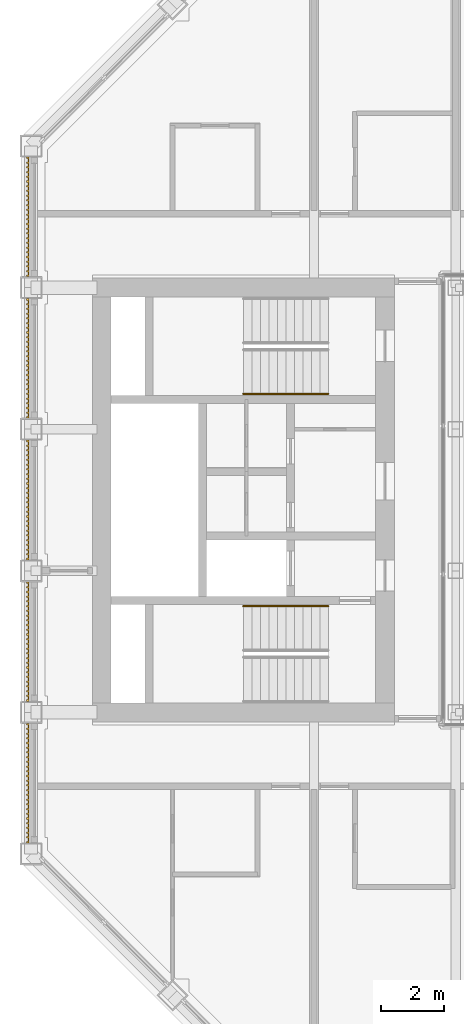
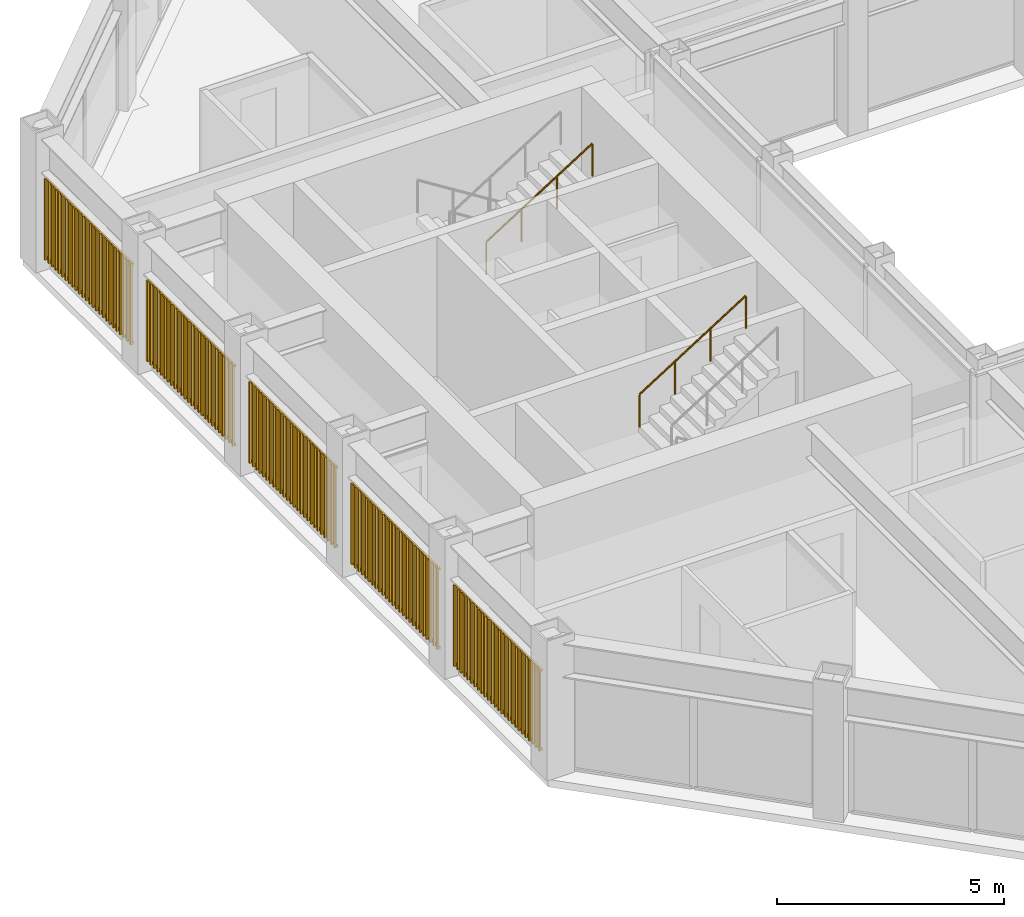
# One storey, part 15 of 17: 2 railings, 1 shading device.
"""IFC4 building model written with IfcOpenShell, lengths in metres."""

from ifc_helpers import new_model, si_unit, direction, frame, origin, origin_2d, place, context, subcontext, project, spatial, rectangle, circle, extrude, material, type_object, element, save


model = new_model("IFC4")

# Units and contexts
model_context = context("Model", 3, precision=1e-05, world=origin(), true_north=direction((0.0, 1.0)))
body_context = subcontext(model_context, "Body", "Model", "MODEL_VIEW")
ifc_project = project(units=[si_unit("LENGTHUNIT", "METRE"), si_unit("AREAUNIT", "SQUARE_METRE"), si_unit("VOLUMEUNIT", "CUBIC_METRE"), si_unit("PLANEANGLEUNIT", "RADIAN"), si_unit("MASSUNIT", "GRAM", prefix="KILO")], contexts=[model_context])

# Site, building, storey
site_placement = place(None, origin())
site = spatial("IfcSite", under=ifc_project, at=site_placement, CompositionType="ELEMENT")
building_placement = place(site_placement, origin())
building = spatial("IfcBuilding", under=site, at=building_placement, Name="Msasa Ring Tower", CompositionType="ELEMENT")
storey_placement = place(building_placement, frame((0.0, 0.0, 234.550048828125)))
storey = spatial("IfcBuildingStorey", under=building, at=storey_placement, Name="L61", CompositionType="ELEMENT", Elevation=234.550048828125)

# Shading device
ifc_material_1 = material(Name="Extruded terracotta on aluminium carriers", Category="masonry")
shading_device_type = type_object("IfcShadingDeviceType", Name="BS1 TERRACOTTA BAGUETTE SCREEN 50x50 AT 150", PredefinedType="USERDEFINED", material=ifc_material_1)
shading_device_placement = place(storey_placement, origin())
element("IfcShadingDevice", 1, at=shading_device_placement, inside=storey, type_object=shading_device_type, Name="Terracotta baguette screen W L61", ObjectType="BAGUETTE", PredefinedType="USERDEFINED", context=body_context, shape_type="SweptSolid", body=[
    extrude(rectangle(XDim=0.06005859375, YDim=0.0400390625, at=origin_2d()), frame((-20.330078125, -10.89990234375, 0.329833984375), z_axis=(0.0, 1.0, 0.0), x_axis=(0.0, 0.0, 1.0)), (0.0, 0.0, 1.0), 3.800048828125),
    extrude(rectangle(XDim=0.06005859375, YDim=0.0400390625, at=origin_2d()), frame((-20.330078125, -10.89990234375, 2.448974609375), z_axis=(0.0, 1.0, 0.0), x_axis=(0.0, 0.0, 1.0)), (0.0, 0.0, 1.0), 3.800048828125),
    extrude(rectangle(XDim=0.050048828125, YDim=0.050048828125, at=origin_2d()), frame((-20.3701171875, -10.875, 0.300048828125), z_axis=(0.0, 0.0, 1.0), x_axis=(0.0, 1.0, 0.0)), (0.0, 0.0, 1.0), 2.178955078125),
    extrude(rectangle(XDim=0.050048828125, YDim=0.050048828125, at=origin_2d()), frame((-20.3701171875, -10.72509765625, 0.300048828125), z_axis=(0.0, 0.0, 1.0), x_axis=(0.0, 1.0, 0.0)), (0.0, 0.0, 1.0), 2.178955078125),
    extrude(rectangle(XDim=0.050048828125, YDim=0.050048828125, at=origin_2d()), frame((-20.3701171875, -10.574951171875, 0.300048828125), z_axis=(0.0, 0.0, 1.0), x_axis=(0.0, 1.0, 0.0)), (0.0, 0.0, 1.0), 2.178955078125),
    extrude(rectangle(XDim=0.050048828125, YDim=0.050048828125, at=origin_2d()), frame((-20.3701171875, -10.425048828125, 0.300048828125), z_axis=(0.0, 0.0, 1.0), x_axis=(0.0, 1.0, 0.0)), (0.0, 0.0, 1.0), 2.178955078125),
    extrude(rectangle(XDim=0.050048828125, YDim=0.050048828125, at=origin_2d()), frame((-20.3701171875, -10.27490234375, 0.300048828125), z_axis=(0.0, 0.0, 1.0), x_axis=(0.0, 1.0, 0.0)), (0.0, 0.0, 1.0), 2.178955078125),
    extrude(rectangle(XDim=0.050048828125, YDim=0.050048828125, at=origin_2d()), frame((-20.3701171875, -10.125, 0.300048828125), z_axis=(0.0, 0.0, 1.0), x_axis=(0.0, 1.0, 0.0)), (0.0, 0.0, 1.0), 2.178955078125),
    extrude(rectangle(XDim=0.050048828125, YDim=0.050048828125, at=origin_2d()), frame((-20.3701171875, -9.97509765625, 0.300048828125), z_axis=(0.0, 0.0, 1.0), x_axis=(0.0, 1.0, 0.0)), (0.0, 0.0, 1.0), 2.178955078125),
    extrude(rectangle(XDim=0.050048828125, YDim=0.050048828125, at=origin_2d()), frame((-20.3701171875, -9.824951171875, 0.300048828125), z_axis=(0.0, 0.0, 1.0), x_axis=(0.0, 1.0, 0.0)), (0.0, 0.0, 1.0), 2.178955078125),
    extrude(rectangle(XDim=0.050048828125, YDim=0.050048828125, at=origin_2d()), frame((-20.3701171875, -9.675048828125, 0.300048828125), z_axis=(0.0, 0.0, 1.0), x_axis=(0.0, 1.0, 0.0)), (0.0, 0.0, 1.0), 2.178955078125),
    extrude(rectangle(XDim=0.050048828125, YDim=0.050048828125, at=origin_2d()), frame((-20.3701171875, -9.52490234375, 0.300048828125), z_axis=(0.0, 0.0, 1.0), x_axis=(0.0, 1.0, 0.0)), (0.0, 0.0, 1.0), 2.178955078125),
    extrude(rectangle(XDim=0.050048828125, YDim=0.050048828125, at=origin_2d()), frame((-20.3701171875, -9.375, 0.300048828125), z_axis=(0.0, 0.0, 1.0), x_axis=(0.0, 1.0, 0.0)), (0.0, 0.0, 1.0), 2.178955078125),
    extrude(rectangle(XDim=0.050048828125, YDim=0.050048828125, at=origin_2d()), frame((-20.3701171875, -9.22509765625, 0.300048828125), z_axis=(0.0, 0.0, 1.0), x_axis=(0.0, 1.0, 0.0)), (0.0, 0.0, 1.0), 2.178955078125),
    extrude(rectangle(XDim=0.050048828125, YDim=0.050048828125, at=origin_2d()), frame((-20.3701171875, -9.074951171875, 0.300048828125), z_axis=(0.0, 0.0, 1.0), x_axis=(0.0, 1.0, 0.0)), (0.0, 0.0, 1.0), 2.178955078125),
    extrude(rectangle(XDim=0.050048828125, YDim=0.050048828125, at=origin_2d()), frame((-20.3701171875, -8.925048828125, 0.300048828125), z_axis=(0.0, 0.0, 1.0), x_axis=(0.0, 1.0, 0.0)), (0.0, 0.0, 1.0), 2.178955078125),
    extrude(rectangle(XDim=0.050048828125, YDim=0.050048828125, at=origin_2d()), frame((-20.3701171875, -8.77490234375, 0.300048828125), z_axis=(0.0, 0.0, 1.0), x_axis=(0.0, 1.0, 0.0)), (0.0, 0.0, 1.0), 2.178955078125),
    extrude(rectangle(XDim=0.050048828125, YDim=0.050048828125, at=origin_2d()), frame((-20.3701171875, -8.625, 0.300048828125), z_axis=(0.0, 0.0, 1.0), x_axis=(0.0, 1.0, 0.0)), (0.0, 0.0, 1.0), 2.178955078125),
    extrude(rectangle(XDim=0.050048828125, YDim=0.050048828125, at=origin_2d()), frame((-20.3701171875, -8.47509765625, 0.300048828125), z_axis=(0.0, 0.0, 1.0), x_axis=(0.0, 1.0, 0.0)), (0.0, 0.0, 1.0), 2.178955078125),
    extrude(rectangle(XDim=0.050048828125, YDim=0.050048828125, at=origin_2d()), frame((-20.3701171875, -8.324951171875, 0.300048828125), z_axis=(0.0, 0.0, 1.0), x_axis=(0.0, 1.0, 0.0)), (0.0, 0.0, 1.0), 2.178955078125),
    extrude(rectangle(XDim=0.050048828125, YDim=0.050048828125, at=origin_2d()), frame((-20.3701171875, -8.175048828125, 0.300048828125), z_axis=(0.0, 0.0, 1.0), x_axis=(0.0, 1.0, 0.0)), (0.0, 0.0, 1.0), 2.178955078125),
    extrude(rectangle(XDim=0.050048828125, YDim=0.050048828125, at=origin_2d()), frame((-20.3701171875, -8.02490234375, 0.300048828125), z_axis=(0.0, 0.0, 1.0), x_axis=(0.0, 1.0, 0.0)), (0.0, 0.0, 1.0), 2.178955078125),
    extrude(rectangle(XDim=0.050048828125, YDim=0.050048828125, at=origin_2d()), frame((-20.3701171875, -7.875, 0.300048828125), z_axis=(0.0, 0.0, 1.0), x_axis=(0.0, 1.0, 0.0)), (0.0, 0.0, 1.0), 2.178955078125),
    extrude(rectangle(XDim=0.050048828125, YDim=0.050048828125, at=origin_2d()), frame((-20.3701171875, -7.72509765625, 0.300048828125), z_axis=(0.0, 0.0, 1.0), x_axis=(0.0, 1.0, 0.0)), (0.0, 0.0, 1.0), 2.178955078125),
    extrude(rectangle(XDim=0.050048828125, YDim=0.050048828125, at=origin_2d()), frame((-20.3701171875, -7.574951171875, 0.300048828125), z_axis=(0.0, 0.0, 1.0), x_axis=(0.0, 1.0, 0.0)), (0.0, 0.0, 1.0), 2.178955078125),
    extrude(rectangle(XDim=0.050048828125, YDim=0.050048828125, at=origin_2d()), frame((-20.3701171875, -7.425048828125, 0.300048828125), z_axis=(0.0, 0.0, 1.0), x_axis=(0.0, 1.0, 0.0)), (0.0, 0.0, 1.0), 2.178955078125),
    extrude(rectangle(XDim=0.050048828125, YDim=0.050048828125, at=origin_2d()), frame((-20.3701171875, -7.27490234375, 0.300048828125), z_axis=(0.0, 0.0, 1.0), x_axis=(0.0, 1.0, 0.0)), (0.0, 0.0, 1.0), 2.178955078125),
    extrude(rectangle(XDim=0.050048828125, YDim=0.050048828125, at=origin_2d()), frame((-20.3701171875, -7.125, 0.300048828125), z_axis=(0.0, 0.0, 1.0), x_axis=(0.0, 1.0, 0.0)), (0.0, 0.0, 1.0), 2.178955078125),
    extrude(rectangle(XDim=0.06005859375, YDim=0.0400390625, at=origin_2d()), frame((-20.330078125, -6.39990234375, 0.329833984375), z_axis=(0.0, 1.0, 0.0), x_axis=(0.0, 0.0, 1.0)), (0.0, 0.0, 1.0), 3.800048828125),
    extrude(rectangle(XDim=0.06005859375, YDim=0.0400390625, at=origin_2d()), frame((-20.330078125, -6.39990234375, 2.448974609375), z_axis=(0.0, 1.0, 0.0), x_axis=(0.0, 0.0, 1.0)), (0.0, 0.0, 1.0), 3.800048828125),
    extrude(rectangle(XDim=0.050048828125, YDim=0.050048828125, at=origin_2d()), frame((-20.3701171875, -6.375, 0.300048828125), z_axis=(0.0, 0.0, 1.0), x_axis=(0.0, 1.0, 0.0)), (0.0, 0.0, 1.0), 2.178955078125),
    extrude(rectangle(XDim=0.050048828125, YDim=0.050048828125, at=origin_2d()), frame((-20.3701171875, -6.22509765625, 0.300048828125), z_axis=(0.0, 0.0, 1.0), x_axis=(0.0, 1.0, 0.0)), (0.0, 0.0, 1.0), 2.178955078125),
    extrude(rectangle(XDim=0.050048828125, YDim=0.050048828125, at=origin_2d()), frame((-20.3701171875, -6.074951171875, 0.300048828125), z_axis=(0.0, 0.0, 1.0), x_axis=(0.0, 1.0, 0.0)), (0.0, 0.0, 1.0), 2.178955078125),
    extrude(rectangle(XDim=0.050048828125, YDim=0.050048828125, at=origin_2d()), frame((-20.3701171875, -5.925048828125, 0.300048828125), z_axis=(0.0, 0.0, 1.0), x_axis=(0.0, 1.0, 0.0)), (0.0, 0.0, 1.0), 2.178955078125),
    extrude(rectangle(XDim=0.050048828125, YDim=0.050048828125, at=origin_2d()), frame((-20.3701171875, -5.77490234375, 0.300048828125), z_axis=(0.0, 0.0, 1.0), x_axis=(0.0, 1.0, 0.0)), (0.0, 0.0, 1.0), 2.178955078125),
    extrude(rectangle(XDim=0.050048828125, YDim=0.050048828125, at=origin_2d()), frame((-20.3701171875, -5.625, 0.300048828125), z_axis=(0.0, 0.0, 1.0), x_axis=(0.0, 1.0, 0.0)), (0.0, 0.0, 1.0), 2.178955078125),
    extrude(rectangle(XDim=0.050048828125, YDim=0.050048828125, at=origin_2d()), frame((-20.3701171875, -5.47509765625, 0.300048828125), z_axis=(0.0, 0.0, 1.0), x_axis=(0.0, 1.0, 0.0)), (0.0, 0.0, 1.0), 2.178955078125),
    extrude(rectangle(XDim=0.050048828125, YDim=0.050048828125, at=origin_2d()), frame((-20.3701171875, -5.324951171875, 0.300048828125), z_axis=(0.0, 0.0, 1.0), x_axis=(0.0, 1.0, 0.0)), (0.0, 0.0, 1.0), 2.178955078125),
    extrude(rectangle(XDim=0.050048828125, YDim=0.050048828125, at=origin_2d()), frame((-20.3701171875, -5.175048828125, 0.300048828125), z_axis=(0.0, 0.0, 1.0), x_axis=(0.0, 1.0, 0.0)), (0.0, 0.0, 1.0), 2.178955078125),
    extrude(rectangle(XDim=0.050048828125, YDim=0.050048828125, at=origin_2d()), frame((-20.3701171875, -5.02490234375, 0.300048828125), z_axis=(0.0, 0.0, 1.0), x_axis=(0.0, 1.0, 0.0)), (0.0, 0.0, 1.0), 2.178955078125),
    extrude(rectangle(XDim=0.050048828125, YDim=0.050048828125, at=origin_2d()), frame((-20.3701171875, -4.875, 0.300048828125), z_axis=(0.0, 0.0, 1.0), x_axis=(0.0, 1.0, 0.0)), (0.0, 0.0, 1.0), 2.178955078125),
    extrude(rectangle(XDim=0.050048828125, YDim=0.050048828125, at=origin_2d()), frame((-20.3701171875, -4.72509765625, 0.300048828125), z_axis=(0.0, 0.0, 1.0), x_axis=(0.0, 1.0, 0.0)), (0.0, 0.0, 1.0), 2.178955078125),
    extrude(rectangle(XDim=0.050048828125, YDim=0.050048828125, at=origin_2d()), frame((-20.3701171875, -4.574951171875, 0.300048828125), z_axis=(0.0, 0.0, 1.0), x_axis=(0.0, 1.0, 0.0)), (0.0, 0.0, 1.0), 2.178955078125),
    extrude(rectangle(XDim=0.050048828125, YDim=0.050048828125, at=origin_2d()), frame((-20.3701171875, -4.425048828125, 0.300048828125), z_axis=(0.0, 0.0, 1.0), x_axis=(0.0, 1.0, 0.0)), (0.0, 0.0, 1.0), 2.178955078125),
    extrude(rectangle(XDim=0.050048828125, YDim=0.050048828125, at=origin_2d()), frame((-20.3701171875, -4.27490234375, 0.300048828125), z_axis=(0.0, 0.0, 1.0), x_axis=(0.0, 1.0, 0.0)), (0.0, 0.0, 1.0), 2.178955078125),
    extrude(rectangle(XDim=0.050048828125, YDim=0.050048828125, at=origin_2d()), frame((-20.3701171875, -4.125, 0.300048828125), z_axis=(0.0, 0.0, 1.0), x_axis=(0.0, 1.0, 0.0)), (0.0, 0.0, 1.0), 2.178955078125),
    extrude(rectangle(XDim=0.050048828125, YDim=0.050048828125, at=origin_2d()), frame((-20.3701171875, -3.97509765625, 0.300048828125), z_axis=(0.0, 0.0, 1.0), x_axis=(0.0, 1.0, 0.0)), (0.0, 0.0, 1.0), 2.178955078125),
    extrude(rectangle(XDim=0.050048828125, YDim=0.050048828125, at=origin_2d()), frame((-20.3701171875, -3.824951171875, 0.300048828125), z_axis=(0.0, 0.0, 1.0), x_axis=(0.0, 1.0, 0.0)), (0.0, 0.0, 1.0), 2.178955078125),
    extrude(rectangle(XDim=0.050048828125, YDim=0.050048828125, at=origin_2d()), frame((-20.3701171875, -3.675048828125, 0.300048828125), z_axis=(0.0, 0.0, 1.0), x_axis=(0.0, 1.0, 0.0)), (0.0, 0.0, 1.0), 2.178955078125),
    extrude(rectangle(XDim=0.050048828125, YDim=0.050048828125, at=origin_2d()), frame((-20.3701171875, -3.52490234375, 0.300048828125), z_axis=(0.0, 0.0, 1.0), x_axis=(0.0, 1.0, 0.0)), (0.0, 0.0, 1.0), 2.178955078125),
    extrude(rectangle(XDim=0.050048828125, YDim=0.050048828125, at=origin_2d()), frame((-20.3701171875, -3.375, 0.300048828125), z_axis=(0.0, 0.0, 1.0), x_axis=(0.0, 1.0, 0.0)), (0.0, 0.0, 1.0), 2.178955078125),
    extrude(rectangle(XDim=0.050048828125, YDim=0.050048828125, at=origin_2d()), frame((-20.3701171875, -3.22509765625, 0.300048828125), z_axis=(0.0, 0.0, 1.0), x_axis=(0.0, 1.0, 0.0)), (0.0, 0.0, 1.0), 2.178955078125),
    extrude(rectangle(XDim=0.050048828125, YDim=0.050048828125, at=origin_2d()), frame((-20.3701171875, -3.074951171875, 0.300048828125), z_axis=(0.0, 0.0, 1.0), x_axis=(0.0, 1.0, 0.0)), (0.0, 0.0, 1.0), 2.178955078125),
    extrude(rectangle(XDim=0.050048828125, YDim=0.050048828125, at=origin_2d()), frame((-20.3701171875, -2.925048828125, 0.300048828125), z_axis=(0.0, 0.0, 1.0), x_axis=(0.0, 1.0, 0.0)), (0.0, 0.0, 1.0), 2.178955078125),
    extrude(rectangle(XDim=0.050048828125, YDim=0.050048828125, at=origin_2d()), frame((-20.3701171875, -2.77490234375, 0.300048828125), z_axis=(0.0, 0.0, 1.0), x_axis=(0.0, 1.0, 0.0)), (0.0, 0.0, 1.0), 2.178955078125),
    extrude(rectangle(XDim=0.050048828125, YDim=0.050048828125, at=origin_2d()), frame((-20.3701171875, -2.625, 0.300048828125), z_axis=(0.0, 0.0, 1.0), x_axis=(0.0, 1.0, 0.0)), (0.0, 0.0, 1.0), 2.178955078125),
    extrude(rectangle(XDim=0.06005859375, YDim=0.0400390625, at=origin_2d()), frame((-20.330078125, -1.89990234375, 0.329833984375), z_axis=(0.0, 1.0, 0.0), x_axis=(0.0, 0.0, 1.0)), (0.0, 0.0, 1.0), 3.800048828125),
    extrude(rectangle(XDim=0.06005859375, YDim=0.0400390625, at=origin_2d()), frame((-20.330078125, -1.89990234375, 2.448974609375), z_axis=(0.0, 1.0, 0.0), x_axis=(0.0, 0.0, 1.0)), (0.0, 0.0, 1.0), 3.800048828125),
    extrude(rectangle(XDim=0.050048828125, YDim=0.050048828125, at=origin_2d()), frame((-20.3701171875, -1.875, 0.300048828125), z_axis=(0.0, 0.0, 1.0), x_axis=(0.0, 1.0, 0.0)), (0.0, 0.0, 1.0), 2.178955078125),
    extrude(rectangle(XDim=0.050048828125, YDim=0.050048828125, at=origin_2d()), frame((-20.3701171875, -1.72509765625, 0.300048828125), z_axis=(0.0, 0.0, 1.0), x_axis=(0.0, 1.0, 0.0)), (0.0, 0.0, 1.0), 2.178955078125),
    extrude(rectangle(XDim=0.050048828125, YDim=0.050048828125, at=origin_2d()), frame((-20.3701171875, -1.574951171875, 0.300048828125), z_axis=(0.0, 0.0, 1.0), x_axis=(0.0, 1.0, 0.0)), (0.0, 0.0, 1.0), 2.178955078125),
    extrude(rectangle(XDim=0.050048828125, YDim=0.050048828125, at=origin_2d()), frame((-20.3701171875, -1.425048828125, 0.300048828125), z_axis=(0.0, 0.0, 1.0), x_axis=(0.0, 1.0, 0.0)), (0.0, 0.0, 1.0), 2.178955078125),
    extrude(rectangle(XDim=0.050048828125, YDim=0.050048828125, at=origin_2d()), frame((-20.3701171875, -1.27490234375, 0.300048828125), z_axis=(0.0, 0.0, 1.0), x_axis=(0.0, 1.0, 0.0)), (0.0, 0.0, 1.0), 2.178955078125),
    extrude(rectangle(XDim=0.050048828125, YDim=0.050048828125, at=origin_2d()), frame((-20.3701171875, -1.125, 0.300048828125), z_axis=(0.0, 0.0, 1.0), x_axis=(0.0, 1.0, 0.0)), (0.0, 0.0, 1.0), 2.178955078125),
    extrude(rectangle(XDim=0.050048828125, YDim=0.050048828125, at=origin_2d()), frame((-20.3701171875, -0.97509765625, 0.300048828125), z_axis=(0.0, 0.0, 1.0), x_axis=(0.0, 1.0, 0.0)), (0.0, 0.0, 1.0), 2.178955078125),
    extrude(rectangle(XDim=0.050048828125, YDim=0.050048828125, at=origin_2d()), frame((-20.3701171875, -0.824951171875, 0.300048828125), z_axis=(0.0, 0.0, 1.0), x_axis=(0.0, 1.0, 0.0)), (0.0, 0.0, 1.0), 2.178955078125),
    extrude(rectangle(XDim=0.050048828125, YDim=0.050048828125, at=origin_2d()), frame((-20.3701171875, -0.675048828125, 0.300048828125), z_axis=(0.0, 0.0, 1.0), x_axis=(0.0, 1.0, 0.0)), (0.0, 0.0, 1.0), 2.178955078125),
    extrude(rectangle(XDim=0.050048828125, YDim=0.050048828125, at=origin_2d()), frame((-20.3701171875, -0.52490234375, 0.300048828125), z_axis=(0.0, 0.0, 1.0), x_axis=(0.0, 1.0, 0.0)), (0.0, 0.0, 1.0), 2.178955078125),
    extrude(rectangle(XDim=0.050048828125, YDim=0.050048828125, at=origin_2d()), frame((-20.3701171875, -0.375, 0.300048828125), z_axis=(0.0, 0.0, 1.0), x_axis=(0.0, 1.0, 0.0)), (0.0, 0.0, 1.0), 2.178955078125),
    extrude(rectangle(XDim=0.050048828125, YDim=0.050048828125, at=origin_2d()), frame((-20.3701171875, -0.22509765625, 0.300048828125), z_axis=(0.0, 0.0, 1.0), x_axis=(0.0, 1.0, 0.0)), (0.0, 0.0, 1.0), 2.178955078125),
    extrude(rectangle(XDim=0.050048828125, YDim=0.050048828125, at=origin_2d()), frame((-20.3701171875, -0.074951171875, 0.300048828125), z_axis=(0.0, 0.0, 1.0), x_axis=(0.0, 1.0, 0.0)), (0.0, 0.0, 1.0), 2.178955078125),
    extrude(rectangle(XDim=0.050048828125, YDim=0.050048828125, at=origin_2d()), frame((-20.3701171875, 0.074951171875, 0.300048828125), z_axis=(0.0, 0.0, 1.0), x_axis=(0.0, 1.0, 0.0)), (0.0, 0.0, 1.0), 2.178955078125),
    extrude(rectangle(XDim=0.050048828125, YDim=0.050048828125, at=origin_2d()), frame((-20.3701171875, 0.22509765625, 0.300048828125), z_axis=(0.0, 0.0, 1.0), x_axis=(0.0, 1.0, 0.0)), (0.0, 0.0, 1.0), 2.178955078125),
    extrude(rectangle(XDim=0.050048828125, YDim=0.050048828125, at=origin_2d()), frame((-20.3701171875, 0.375, 0.300048828125), z_axis=(0.0, 0.0, 1.0), x_axis=(0.0, 1.0, 0.0)), (0.0, 0.0, 1.0), 2.178955078125),
    extrude(rectangle(XDim=0.050048828125, YDim=0.050048828125, at=origin_2d()), frame((-20.3701171875, 0.52490234375, 0.300048828125), z_axis=(0.0, 0.0, 1.0), x_axis=(0.0, 1.0, 0.0)), (0.0, 0.0, 1.0), 2.178955078125),
    extrude(rectangle(XDim=0.050048828125, YDim=0.050048828125, at=origin_2d()), frame((-20.3701171875, 0.675048828125, 0.300048828125), z_axis=(0.0, 0.0, 1.0), x_axis=(0.0, 1.0, 0.0)), (0.0, 0.0, 1.0), 2.178955078125),
    extrude(rectangle(XDim=0.050048828125, YDim=0.050048828125, at=origin_2d()), frame((-20.3701171875, 0.824951171875, 0.300048828125), z_axis=(0.0, 0.0, 1.0), x_axis=(0.0, 1.0, 0.0)), (0.0, 0.0, 1.0), 2.178955078125),
    extrude(rectangle(XDim=0.050048828125, YDim=0.050048828125, at=origin_2d()), frame((-20.3701171875, 0.97509765625, 0.300048828125), z_axis=(0.0, 0.0, 1.0), x_axis=(0.0, 1.0, 0.0)), (0.0, 0.0, 1.0), 2.178955078125),
    extrude(rectangle(XDim=0.050048828125, YDim=0.050048828125, at=origin_2d()), frame((-20.3701171875, 1.125, 0.300048828125), z_axis=(0.0, 0.0, 1.0), x_axis=(0.0, 1.0, 0.0)), (0.0, 0.0, 1.0), 2.178955078125),
    extrude(rectangle(XDim=0.050048828125, YDim=0.050048828125, at=origin_2d()), frame((-20.3701171875, 1.27490234375, 0.300048828125), z_axis=(0.0, 0.0, 1.0), x_axis=(0.0, 1.0, 0.0)), (0.0, 0.0, 1.0), 2.178955078125),
    extrude(rectangle(XDim=0.050048828125, YDim=0.050048828125, at=origin_2d()), frame((-20.3701171875, 1.425048828125, 0.300048828125), z_axis=(0.0, 0.0, 1.0), x_axis=(0.0, 1.0, 0.0)), (0.0, 0.0, 1.0), 2.178955078125),
    extrude(rectangle(XDim=0.050048828125, YDim=0.050048828125, at=origin_2d()), frame((-20.3701171875, 1.574951171875, 0.300048828125), z_axis=(0.0, 0.0, 1.0), x_axis=(0.0, 1.0, 0.0)), (0.0, 0.0, 1.0), 2.178955078125),
    extrude(rectangle(XDim=0.050048828125, YDim=0.050048828125, at=origin_2d()), frame((-20.3701171875, 1.72509765625, 0.300048828125), z_axis=(0.0, 0.0, 1.0), x_axis=(0.0, 1.0, 0.0)), (0.0, 0.0, 1.0), 2.178955078125),
    extrude(rectangle(XDim=0.050048828125, YDim=0.050048828125, at=origin_2d()), frame((-20.3701171875, 1.875, 0.300048828125), z_axis=(0.0, 0.0, 1.0), x_axis=(0.0, 1.0, 0.0)), (0.0, 0.0, 1.0), 2.178955078125),
    extrude(rectangle(XDim=0.06005859375, YDim=0.0400390625, at=origin_2d()), frame((-20.330078125, 2.60009765625, 0.329833984375), z_axis=(0.0, 1.0, 0.0), x_axis=(0.0, 0.0, 1.0)), (0.0, 0.0, 1.0), 3.800048828125),
    extrude(rectangle(XDim=0.06005859375, YDim=0.0400390625, at=origin_2d()), frame((-20.330078125, 2.60009765625, 2.448974609375), z_axis=(0.0, 1.0, 0.0), x_axis=(0.0, 0.0, 1.0)), (0.0, 0.0, 1.0), 3.800048828125),
    extrude(rectangle(XDim=0.050048828125, YDim=0.050048828125, at=origin_2d()), frame((-20.3701171875, 2.625, 0.300048828125), z_axis=(0.0, 0.0, 1.0), x_axis=(0.0, 1.0, 0.0)), (0.0, 0.0, 1.0), 2.178955078125),
    extrude(rectangle(XDim=0.050048828125, YDim=0.050048828125, at=origin_2d()), frame((-20.3701171875, 2.77490234375, 0.300048828125), z_axis=(0.0, 0.0, 1.0), x_axis=(0.0, 1.0, 0.0)), (0.0, 0.0, 1.0), 2.178955078125),
    extrude(rectangle(XDim=0.050048828125, YDim=0.050048828125, at=origin_2d()), frame((-20.3701171875, 2.925048828125, 0.300048828125), z_axis=(0.0, 0.0, 1.0), x_axis=(0.0, 1.0, 0.0)), (0.0, 0.0, 1.0), 2.178955078125),
    extrude(rectangle(XDim=0.050048828125, YDim=0.050048828125, at=origin_2d()), frame((-20.3701171875, 3.074951171875, 0.300048828125), z_axis=(0.0, 0.0, 1.0), x_axis=(0.0, 1.0, 0.0)), (0.0, 0.0, 1.0), 2.178955078125),
    extrude(rectangle(XDim=0.050048828125, YDim=0.050048828125, at=origin_2d()), frame((-20.3701171875, 3.22509765625, 0.300048828125), z_axis=(0.0, 0.0, 1.0), x_axis=(0.0, 1.0, 0.0)), (0.0, 0.0, 1.0), 2.178955078125),
    extrude(rectangle(XDim=0.050048828125, YDim=0.050048828125, at=origin_2d()), frame((-20.3701171875, 3.375, 0.300048828125), z_axis=(0.0, 0.0, 1.0), x_axis=(0.0, 1.0, 0.0)), (0.0, 0.0, 1.0), 2.178955078125),
    extrude(rectangle(XDim=0.050048828125, YDim=0.050048828125, at=origin_2d()), frame((-20.3701171875, 3.52490234375, 0.300048828125), z_axis=(0.0, 0.0, 1.0), x_axis=(0.0, 1.0, 0.0)), (0.0, 0.0, 1.0), 2.178955078125),
    extrude(rectangle(XDim=0.050048828125, YDim=0.050048828125, at=origin_2d()), frame((-20.3701171875, 3.675048828125, 0.300048828125), z_axis=(0.0, 0.0, 1.0), x_axis=(0.0, 1.0, 0.0)), (0.0, 0.0, 1.0), 2.178955078125),
    extrude(rectangle(XDim=0.050048828125, YDim=0.050048828125, at=origin_2d()), frame((-20.3701171875, 3.824951171875, 0.300048828125), z_axis=(0.0, 0.0, 1.0), x_axis=(0.0, 1.0, 0.0)), (0.0, 0.0, 1.0), 2.178955078125),
    extrude(rectangle(XDim=0.050048828125, YDim=0.050048828125, at=origin_2d()), frame((-20.3701171875, 3.97509765625, 0.300048828125), z_axis=(0.0, 0.0, 1.0), x_axis=(0.0, 1.0, 0.0)), (0.0, 0.0, 1.0), 2.178955078125),
    extrude(rectangle(XDim=0.050048828125, YDim=0.050048828125, at=origin_2d()), frame((-20.3701171875, 4.125, 0.300048828125), z_axis=(0.0, 0.0, 1.0), x_axis=(0.0, 1.0, 0.0)), (0.0, 0.0, 1.0), 2.178955078125),
    extrude(rectangle(XDim=0.050048828125, YDim=0.050048828125, at=origin_2d()), frame((-20.3701171875, 4.27490234375, 0.300048828125), z_axis=(0.0, 0.0, 1.0), x_axis=(0.0, 1.0, 0.0)), (0.0, 0.0, 1.0), 2.178955078125),
    extrude(rectangle(XDim=0.050048828125, YDim=0.050048828125, at=origin_2d()), frame((-20.3701171875, 4.425048828125, 0.300048828125), z_axis=(0.0, 0.0, 1.0), x_axis=(0.0, 1.0, 0.0)), (0.0, 0.0, 1.0), 2.178955078125),
    extrude(rectangle(XDim=0.050048828125, YDim=0.050048828125, at=origin_2d()), frame((-20.3701171875, 4.574951171875, 0.300048828125), z_axis=(0.0, 0.0, 1.0), x_axis=(0.0, 1.0, 0.0)), (0.0, 0.0, 1.0), 2.178955078125),
    extrude(rectangle(XDim=0.050048828125, YDim=0.050048828125, at=origin_2d()), frame((-20.3701171875, 4.72509765625, 0.300048828125), z_axis=(0.0, 0.0, 1.0), x_axis=(0.0, 1.0, 0.0)), (0.0, 0.0, 1.0), 2.178955078125),
    extrude(rectangle(XDim=0.050048828125, YDim=0.050048828125, at=origin_2d()), frame((-20.3701171875, 4.875, 0.300048828125), z_axis=(0.0, 0.0, 1.0), x_axis=(0.0, 1.0, 0.0)), (0.0, 0.0, 1.0), 2.178955078125),
    extrude(rectangle(XDim=0.050048828125, YDim=0.050048828125, at=origin_2d()), frame((-20.3701171875, 5.02490234375, 0.300048828125), z_axis=(0.0, 0.0, 1.0), x_axis=(0.0, 1.0, 0.0)), (0.0, 0.0, 1.0), 2.178955078125),
    extrude(rectangle(XDim=0.050048828125, YDim=0.050048828125, at=origin_2d()), frame((-20.3701171875, 5.175048828125, 0.300048828125), z_axis=(0.0, 0.0, 1.0), x_axis=(0.0, 1.0, 0.0)), (0.0, 0.0, 1.0), 2.178955078125),
    extrude(rectangle(XDim=0.050048828125, YDim=0.050048828125, at=origin_2d()), frame((-20.3701171875, 5.324951171875, 0.300048828125), z_axis=(0.0, 0.0, 1.0), x_axis=(0.0, 1.0, 0.0)), (0.0, 0.0, 1.0), 2.178955078125),
    extrude(rectangle(XDim=0.050048828125, YDim=0.050048828125, at=origin_2d()), frame((-20.3701171875, 5.47509765625, 0.300048828125), z_axis=(0.0, 0.0, 1.0), x_axis=(0.0, 1.0, 0.0)), (0.0, 0.0, 1.0), 2.178955078125),
    extrude(rectangle(XDim=0.050048828125, YDim=0.050048828125, at=origin_2d()), frame((-20.3701171875, 5.625, 0.300048828125), z_axis=(0.0, 0.0, 1.0), x_axis=(0.0, 1.0, 0.0)), (0.0, 0.0, 1.0), 2.178955078125),
    extrude(rectangle(XDim=0.050048828125, YDim=0.050048828125, at=origin_2d()), frame((-20.3701171875, 5.77490234375, 0.300048828125), z_axis=(0.0, 0.0, 1.0), x_axis=(0.0, 1.0, 0.0)), (0.0, 0.0, 1.0), 2.178955078125),
    extrude(rectangle(XDim=0.050048828125, YDim=0.050048828125, at=origin_2d()), frame((-20.3701171875, 5.925048828125, 0.300048828125), z_axis=(0.0, 0.0, 1.0), x_axis=(0.0, 1.0, 0.0)), (0.0, 0.0, 1.0), 2.178955078125),
    extrude(rectangle(XDim=0.050048828125, YDim=0.050048828125, at=origin_2d()), frame((-20.3701171875, 6.074951171875, 0.300048828125), z_axis=(0.0, 0.0, 1.0), x_axis=(0.0, 1.0, 0.0)), (0.0, 0.0, 1.0), 2.178955078125),
    extrude(rectangle(XDim=0.050048828125, YDim=0.050048828125, at=origin_2d()), frame((-20.3701171875, 6.22509765625, 0.300048828125), z_axis=(0.0, 0.0, 1.0), x_axis=(0.0, 1.0, 0.0)), (0.0, 0.0, 1.0), 2.178955078125),
    extrude(rectangle(XDim=0.050048828125, YDim=0.050048828125, at=origin_2d()), frame((-20.3701171875, 6.375, 0.300048828125), z_axis=(0.0, 0.0, 1.0), x_axis=(0.0, 1.0, 0.0)), (0.0, 0.0, 1.0), 2.178955078125),
    extrude(rectangle(XDim=0.06005859375, YDim=0.0400390625, at=origin_2d()), frame((-20.330078125, 7.10009765625, 0.329833984375), z_axis=(0.0, 1.0, 0.0), x_axis=(0.0, 0.0, 1.0)), (0.0, 0.0, 1.0), 3.800048828125),
    extrude(rectangle(XDim=0.06005859375, YDim=0.0400390625, at=origin_2d()), frame((-20.330078125, 7.10009765625, 2.448974609375), z_axis=(0.0, 1.0, 0.0), x_axis=(0.0, 0.0, 1.0)), (0.0, 0.0, 1.0), 3.800048828125),
    extrude(rectangle(XDim=0.050048828125, YDim=0.050048828125, at=origin_2d()), frame((-20.3701171875, 7.125, 0.300048828125), z_axis=(0.0, 0.0, 1.0), x_axis=(0.0, 1.0, 0.0)), (0.0, 0.0, 1.0), 2.178955078125),
    extrude(rectangle(XDim=0.050048828125, YDim=0.050048828125, at=origin_2d()), frame((-20.3701171875, 7.27490234375, 0.300048828125), z_axis=(0.0, 0.0, 1.0), x_axis=(0.0, 1.0, 0.0)), (0.0, 0.0, 1.0), 2.178955078125),
    extrude(rectangle(XDim=0.050048828125, YDim=0.050048828125, at=origin_2d()), frame((-20.3701171875, 7.425048828125, 0.300048828125), z_axis=(0.0, 0.0, 1.0), x_axis=(0.0, 1.0, 0.0)), (0.0, 0.0, 1.0), 2.178955078125),
    extrude(rectangle(XDim=0.050048828125, YDim=0.050048828125, at=origin_2d()), frame((-20.3701171875, 7.574951171875, 0.300048828125), z_axis=(0.0, 0.0, 1.0), x_axis=(0.0, 1.0, 0.0)), (0.0, 0.0, 1.0), 2.178955078125),
    extrude(rectangle(XDim=0.050048828125, YDim=0.050048828125, at=origin_2d()), frame((-20.3701171875, 7.72509765625, 0.300048828125), z_axis=(0.0, 0.0, 1.0), x_axis=(0.0, 1.0, 0.0)), (0.0, 0.0, 1.0), 2.178955078125),
    extrude(rectangle(XDim=0.050048828125, YDim=0.050048828125, at=origin_2d()), frame((-20.3701171875, 7.875, 0.300048828125), z_axis=(0.0, 0.0, 1.0), x_axis=(0.0, 1.0, 0.0)), (0.0, 0.0, 1.0), 2.178955078125),
    extrude(rectangle(XDim=0.050048828125, YDim=0.050048828125, at=origin_2d()), frame((-20.3701171875, 8.02490234375, 0.300048828125), z_axis=(0.0, 0.0, 1.0), x_axis=(0.0, 1.0, 0.0)), (0.0, 0.0, 1.0), 2.178955078125),
    extrude(rectangle(XDim=0.050048828125, YDim=0.050048828125, at=origin_2d()), frame((-20.3701171875, 8.175048828125, 0.300048828125), z_axis=(0.0, 0.0, 1.0), x_axis=(0.0, 1.0, 0.0)), (0.0, 0.0, 1.0), 2.178955078125),
    extrude(rectangle(XDim=0.050048828125, YDim=0.050048828125, at=origin_2d()), frame((-20.3701171875, 8.324951171875, 0.300048828125), z_axis=(0.0, 0.0, 1.0), x_axis=(0.0, 1.0, 0.0)), (0.0, 0.0, 1.0), 2.178955078125),
    extrude(rectangle(XDim=0.050048828125, YDim=0.050048828125, at=origin_2d()), frame((-20.3701171875, 8.47509765625, 0.300048828125), z_axis=(0.0, 0.0, 1.0), x_axis=(0.0, 1.0, 0.0)), (0.0, 0.0, 1.0), 2.178955078125),
    extrude(rectangle(XDim=0.050048828125, YDim=0.050048828125, at=origin_2d()), frame((-20.3701171875, 8.625, 0.300048828125), z_axis=(0.0, 0.0, 1.0), x_axis=(0.0, 1.0, 0.0)), (0.0, 0.0, 1.0), 2.178955078125),
    extrude(rectangle(XDim=0.050048828125, YDim=0.050048828125, at=origin_2d()), frame((-20.3701171875, 8.77490234375, 0.300048828125), z_axis=(0.0, 0.0, 1.0), x_axis=(0.0, 1.0, 0.0)), (0.0, 0.0, 1.0), 2.178955078125),
    extrude(rectangle(XDim=0.050048828125, YDim=0.050048828125, at=origin_2d()), frame((-20.3701171875, 8.925048828125, 0.300048828125), z_axis=(0.0, 0.0, 1.0), x_axis=(0.0, 1.0, 0.0)), (0.0, 0.0, 1.0), 2.178955078125),
    extrude(rectangle(XDim=0.050048828125, YDim=0.050048828125, at=origin_2d()), frame((-20.3701171875, 9.074951171875, 0.300048828125), z_axis=(0.0, 0.0, 1.0), x_axis=(0.0, 1.0, 0.0)), (0.0, 0.0, 1.0), 2.178955078125),
    extrude(rectangle(XDim=0.050048828125, YDim=0.050048828125, at=origin_2d()), frame((-20.3701171875, 9.22509765625, 0.300048828125), z_axis=(0.0, 0.0, 1.0), x_axis=(0.0, 1.0, 0.0)), (0.0, 0.0, 1.0), 2.178955078125),
    extrude(rectangle(XDim=0.050048828125, YDim=0.050048828125, at=origin_2d()), frame((-20.3701171875, 9.375, 0.300048828125), z_axis=(0.0, 0.0, 1.0), x_axis=(0.0, 1.0, 0.0)), (0.0, 0.0, 1.0), 2.178955078125),
    extrude(rectangle(XDim=0.050048828125, YDim=0.050048828125, at=origin_2d()), frame((-20.3701171875, 9.52490234375, 0.300048828125), z_axis=(0.0, 0.0, 1.0), x_axis=(0.0, 1.0, 0.0)), (0.0, 0.0, 1.0), 2.178955078125),
    extrude(rectangle(XDim=0.050048828125, YDim=0.050048828125, at=origin_2d()), frame((-20.3701171875, 9.675048828125, 0.300048828125), z_axis=(0.0, 0.0, 1.0), x_axis=(0.0, 1.0, 0.0)), (0.0, 0.0, 1.0), 2.178955078125),
    extrude(rectangle(XDim=0.050048828125, YDim=0.050048828125, at=origin_2d()), frame((-20.3701171875, 9.824951171875, 0.300048828125), z_axis=(0.0, 0.0, 1.0), x_axis=(0.0, 1.0, 0.0)), (0.0, 0.0, 1.0), 2.178955078125),
    extrude(rectangle(XDim=0.050048828125, YDim=0.050048828125, at=origin_2d()), frame((-20.3701171875, 9.97509765625, 0.300048828125), z_axis=(0.0, 0.0, 1.0), x_axis=(0.0, 1.0, 0.0)), (0.0, 0.0, 1.0), 2.178955078125),
    extrude(rectangle(XDim=0.050048828125, YDim=0.050048828125, at=origin_2d()), frame((-20.3701171875, 10.125, 0.300048828125), z_axis=(0.0, 0.0, 1.0), x_axis=(0.0, 1.0, 0.0)), (0.0, 0.0, 1.0), 2.178955078125),
    extrude(rectangle(XDim=0.050048828125, YDim=0.050048828125, at=origin_2d()), frame((-20.3701171875, 10.27490234375, 0.300048828125), z_axis=(0.0, 0.0, 1.0), x_axis=(0.0, 1.0, 0.0)), (0.0, 0.0, 1.0), 2.178955078125),
    extrude(rectangle(XDim=0.050048828125, YDim=0.050048828125, at=origin_2d()), frame((-20.3701171875, 10.425048828125, 0.300048828125), z_axis=(0.0, 0.0, 1.0), x_axis=(0.0, 1.0, 0.0)), (0.0, 0.0, 1.0), 2.178955078125),
    extrude(rectangle(XDim=0.050048828125, YDim=0.050048828125, at=origin_2d()), frame((-20.3701171875, 10.574951171875, 0.300048828125), z_axis=(0.0, 0.0, 1.0), x_axis=(0.0, 1.0, 0.0)), (0.0, 0.0, 1.0), 2.178955078125),
    extrude(rectangle(XDim=0.050048828125, YDim=0.050048828125, at=origin_2d()), frame((-20.3701171875, 10.72509765625, 0.300048828125), z_axis=(0.0, 0.0, 1.0), x_axis=(0.0, 1.0, 0.0)), (0.0, 0.0, 1.0), 2.178955078125),
    extrude(rectangle(XDim=0.050048828125, YDim=0.050048828125, at=origin_2d()), frame((-20.3701171875, 10.875, 0.300048828125), z_axis=(0.0, 0.0, 1.0), x_axis=(0.0, 1.0, 0.0)), (0.0, 0.0, 1.0), 2.178955078125),
])

# Railings
ifc_material_2 = material(Name="Stainless steel", Category="steel")
railing_type = type_object("IfcRailingType", Name="HR1 HANDRAIL 900", PredefinedType="HANDRAIL", material=ifc_material_2)
for number, where, name in (
    (2, (-13.5, -3.375, 2.04541015625), "Handrail stair SWA L61 4"),
    (3, (-13.5, 3.375, 2.04541015625), "Handrail stair SWB L61 3"),
):
    element("IfcRailing", number, at=place(storey_placement, frame(where)), inside=storey, type_object=railing_type, Name=name, PredefinedType="HANDRAIL", context=body_context, shape_type="SweptSolid", body=[
        extrude(circle(Radius=0.02392578125, at=origin_2d()), frame((0.0, 0.0, 0.8759765625), z_axis=(0.845579735284, 0.0, 0.533849146555), x_axis=(0.0, 1.0, 0.0)), (0.0, 0.0, 1.0), 3.193115234375),
        extrude(circle(Radius=0.02099609375, at=origin_2d()), origin(), (0.0, 0.0, 1.0), 0.851806640625),
        extrude(circle(Radius=0.02099609375, at=origin_2d()), frame((0.89990234375, 0.0, 0.568115234375)), (0.0, 0.0, 1.0), 0.851806640625),
        extrude(circle(Radius=0.02099609375, at=origin_2d()), frame((1.800048828125, 0.0, 1.136474609375)), (0.0, 0.0, 1.0), 0.851806640625),
        extrude(circle(Radius=0.02099609375, at=origin_2d()), frame((2.699951171875, 0.0, 1.70458984375)), (0.0, 0.0, 1.0), 0.851806640625),
    ])

save(model, "model.ifc")
